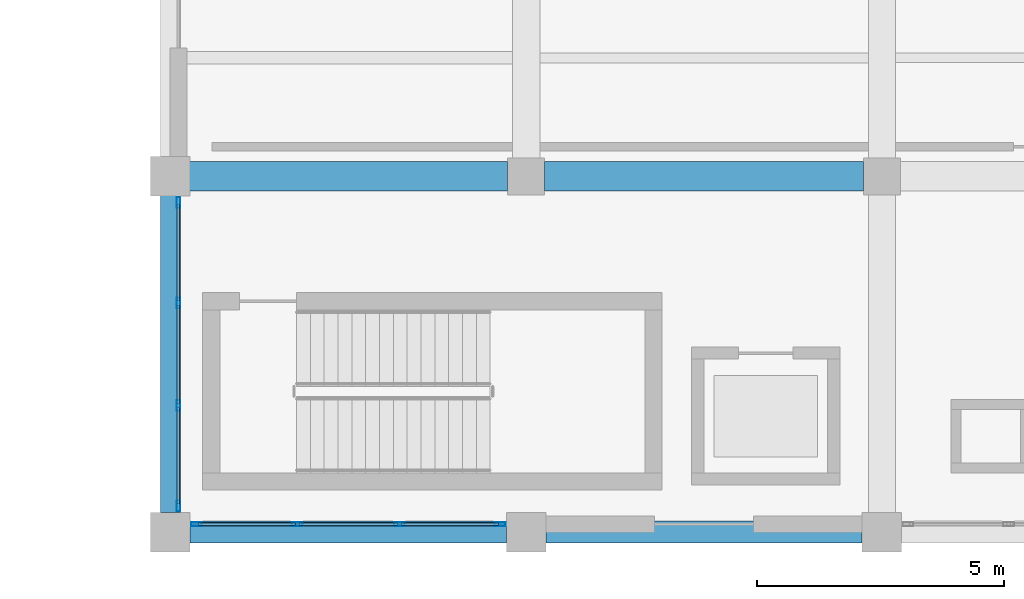
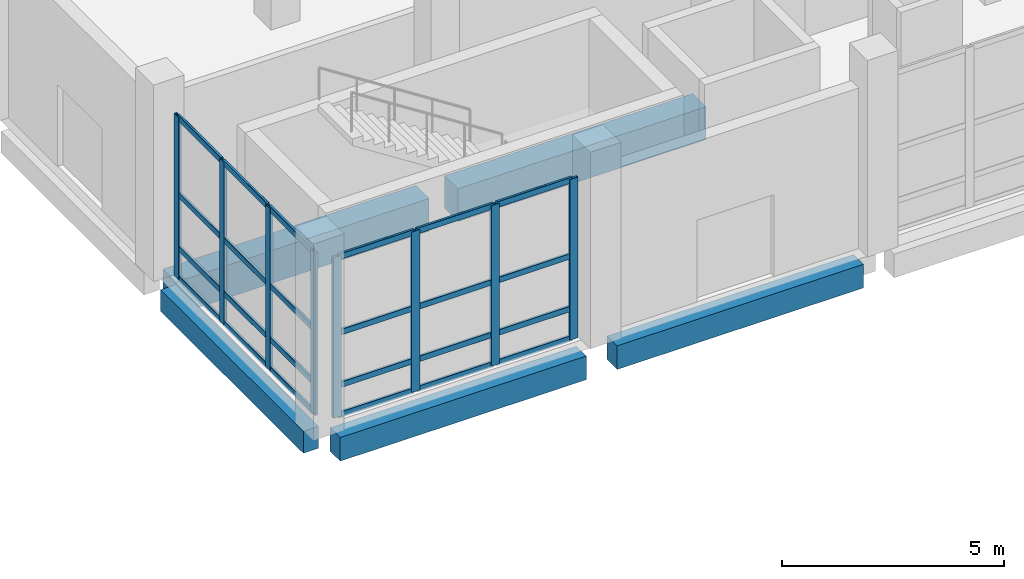
# One storey, part 29 of 137: 32 members, 5 beams, 2 elements without a shape of their own.
"""IFC4 building model written with IfcOpenShell, lengths in metres."""

import ifcopenshell
import ifcopenshell.guid

model = None  # the IFC model being written
_history = None  # IfcOwnerHistory: only IFC2X3 demands one
_inside = {}  # id of a spatial element -> (the spatial element, [elements in it])
_under = {}  # id of a project, library or spatial element -> (it, [spatial elements below it])
_declared = {}  # id of a project -> (the project, [libraries it declares])
_typed = {}  # id of a type object -> (the type object, [elements of that type])
_made_of = {}  # id of a material, layer set ... -> (it, [elements and type objects made of it])


def new_model(schema):
    """Start an empty IFC model of exactly this schema.

    Asked for "IFC4X3", IfcOpenShell would pick the latest addendum, in which some entities
    have other attributes; the version numbers below select the first issue.
    IFC2X3 requires an IfcOwnerHistory on every rooted entity: one is made here for all.
    """
    global model, _history
    if schema == "IFC4X3":
        model = ifcopenshell.file(schema_version=(4, 3, 0, 0))
    else:
        model = ifcopenshell.file(schema=schema)
    _inside.clear()
    _under.clear()
    _declared.clear()
    _typed.clear()
    _made_of.clear()
    _history = None
    if model.schema == "IFC2X3":
        org = make("IfcOrganization", Name="unknown")
        user = make(
            "IfcPersonAndOrganization",
            ThePerson=make("IfcPerson", FamilyName="unknown"),
            TheOrganization=org,
        )
        app = make(
            "IfcApplication",
            ApplicationDeveloper=org,
            Version="unknown",
            ApplicationFullName="unknown",
            ApplicationIdentifier="unknown",
        )
        _history = make(
            "IfcOwnerHistory",
            OwningUser=user,
            OwningApplication=app,
            ChangeAction="ADDED",
            CreationDate=0,
        )
    return model


def make(cls, **values):
    """One entity of the class cls with the attributes given. An attribute that is None is left unset."""
    return model.create_entity(
        cls, **{name: value for name, value in values.items() if value is not None}
    )


def rooted(cls, **values):
    """An entity with a GlobalId (a new one), such as an element, a storey or a relation."""
    return make(cls, GlobalId=ifcopenshell.guid.new(), OwnerHistory=_history, **values)


def si_unit(unit_type, name, prefix=None):
    """IfcSIUnit, for example si_unit("LENGTHUNIT", "METRE", prefix="MILLI")."""
    return make("IfcSIUnit", UnitType=unit_type, Prefix=prefix, Name=name)


def assignment(units):
    """IfcUnitAssignment: the units of a project."""
    return None if units is None else make("IfcUnitAssignment", Units=units)


def point(xyz):
    """IfcCartesianPoint."""
    return None if xyz is None else make("IfcCartesianPoint", Coordinates=xyz)


def direction(xyz):
    """IfcDirection."""
    return None if xyz is None else make("IfcDirection", DirectionRatios=xyz)


def frame(location, z_axis=None, x_axis=None):
    """IfcAxis2Placement3D, a coordinate frame: its origin and axes. An axis left out is left unset."""
    return make(
        "IfcAxis2Placement3D",
        Location=point(location),
        Axis=direction(z_axis),
        RefDirection=direction(x_axis),
    )


def frame_2d(location, x_axis=None):
    """IfcAxis2Placement2D, a coordinate frame in the plane: its origin and x axis."""
    return make(
        "IfcAxis2Placement2D", Location=point(location), RefDirection=direction(x_axis)
    )


def origin():
    """The frame at (0, 0, 0) with its axes left unset."""
    return frame((0.0, 0.0, 0.0))


def origin_2d():
    """The frame at (0, 0) in the plane with its x axis left unset."""
    return frame_2d((0.0, 0.0))


def place(relative_to, where):
    """IfcLocalPlacement: puts the frame where relative to a parent placement (None: the world)."""
    return make(
        "IfcLocalPlacement", PlacementRelTo=relative_to, RelativePlacement=where
    )


def context(
    kind, dimensions, precision=None, world=None, true_north=None, identifier=None
):
    """IfcGeometricRepresentationContext, for example the 3D "Model" context."""
    return make(
        "IfcGeometricRepresentationContext",
        ContextIdentifier=identifier,
        ContextType=kind,
        CoordinateSpaceDimension=dimensions,
        Precision=precision,
        WorldCoordinateSystem=world,
        TrueNorth=true_north,
    )


def subcontext(parent, identifier, kind, view, scale=None):
    """IfcGeometricRepresentationSubContext, for example "Body" below "Model"."""
    return make(
        "IfcGeometricRepresentationSubContext",
        ContextIdentifier=identifier,
        ContextType=kind,
        ParentContext=parent,
        TargetScale=scale,
        TargetView=view,
    )


def project(units=None, contexts=None):
    """IfcProject with its units and contexts."""
    return rooted(
        "IfcProject",
        Name="project",
        RepresentationContexts=contexts,
        UnitsInContext=assignment(units),
    )


def spatial(cls, under=None, at=None, **own):
    """A site, building, storey or space (cls), placed at a placement, below another one or the project."""
    s = rooted(cls, ObjectPlacement=at, **own)
    if under is not None:
        _under.setdefault(under.id(), (under, []))[1].append(s)
    return s


def profile(cls, at=None, kind="AREA", **sizes):
    """A parametric profile (cls). Its sizes go by their IFC names, for example OverallWidth=200.0."""
    return make(cls, ProfileType=kind, Position=at, **sizes)


def rectangle(**sizes):
    """IfcRectangleProfileDef."""
    return profile("IfcRectangleProfileDef", **sizes)


def hollow_rectangle(**sizes):
    """IfcRectangleHollowProfileDef."""
    return profile("IfcRectangleHollowProfileDef", **sizes)


def extrude(swept, where, along, depth):
    """IfcExtrudedAreaSolid: the profile swept, set in the frame where, extruded along a direction by depth."""
    return make(
        "IfcExtrudedAreaSolid",
        SweptArea=swept,
        Position=where,
        ExtrudedDirection=direction(along),
        Depth=depth,
    )


def shape(context_of_items, identifier, shape_type, items):
    """IfcShapeRepresentation: the items that make up one representation, for example the "Body"."""
    return make(
        "IfcShapeRepresentation",
        ContextOfItems=context_of_items,
        RepresentationIdentifier=identifier,
        RepresentationType=shape_type,
        Items=items,
    )


def material(Name=None, Category=None):
    """IfcMaterial."""
    return make("IfcMaterial", Name=Name, Category=Category)


def material_profile(
    of_material, cross_section, Name=None, Category=None, Priority=None
):
    """IfcMaterialProfile: a cross section and its material."""
    return make(
        "IfcMaterialProfile",
        Name=Name,
        Material=of_material,
        Profile=cross_section,
        Priority=Priority,
        Category=Category,
    )


def profile_set(profiles, Name=None, composite=None):
    """IfcMaterialProfileSet."""
    return make(
        "IfcMaterialProfileSet",
        Name=Name,
        MaterialProfiles=profiles,
        CompositeProfile=composite,
    )


def made_of(thing, what):
    """Note that an element or type object is made of a material, layer set ...; save() writes the relation."""
    if what is not None:
        _made_of.setdefault(what.id(), (what, []))[1].append(thing)
    return thing


def type_object(cls, material=None, **own):
    """A type object (cls), such as IfcWallType, which elements share."""
    return made_of(rooted(cls, **own), material)


def element(
    cls,
    number,
    at=None,
    inside=None,
    cuts=None,
    type_object=None,
    material=None,
    context=None,
    identifier="Body",
    shape_type=None,
    held_by="IfcProductDefinitionShape",
    body=None,
    shapes=None,
    **own,
):
    """One element of the class cls, such as IfcWall. Its Tag is "e" and its number.

    at: its placement. inside: the storey or other place that contains it. cuts: it is an
    opening in that element (IfcRelVoidsElement). A single representation is given by context,
    identifier, shape_type and body (its items); several are given by shapes. held_by: the class
    of the entity that holds the representations. save() writes the other relations.
    """
    e = rooted(cls, Tag="e%d" % number, ObjectPlacement=at, **own)
    if body is not None:
        shapes = [shape(context, identifier, shape_type, body)]
    if shapes is not None:
        e.Representation = make(held_by, Representations=shapes)
    if inside is not None:
        _inside.setdefault(inside.id(), (inside, []))[1].append(e)
    if cuts is not None:
        rooted(
            "IfcRelVoidsElement", RelatingBuildingElement=cuts, RelatedOpeningElement=e
        )
    if type_object is not None:
        _typed.setdefault(type_object.id(), (type_object, []))[1].append(e)
    return made_of(e, material)


def aggregate(whole, parts):
    """IfcRelAggregates: a whole, such as a stair, and the parts it consists of."""
    return rooted("IfcRelAggregates", RelatingObject=whole, RelatedObjects=parts)


def save(model, path):
    """Write the relations noted so far, then the file.

    IfcRelAggregates (storeys below a building ...), IfcRelContainedInSpatialStructure (elements
    in a storey), IfcRelDefinesByType, IfcRelAssociatesMaterial and IfcRelDeclares: one each for
    every whole, place, type object, material and project.
    """
    for whole, parts in _under.values():
        aggregate(whole, parts)
    for where, things in _inside.values():
        rooted(
            "IfcRelContainedInSpatialStructure",
            RelatedElements=things,
            RelatingStructure=where,
        )
    for kind, things in _typed.values():
        rooted("IfcRelDefinesByType", RelatedObjects=things, RelatingType=kind)
    for what, things in _made_of.values():
        rooted("IfcRelAssociatesMaterial", RelatedObjects=things, RelatingMaterial=what)
    for by, libraries in _declared.values():
        rooted("IfcRelDeclares", RelatingContext=by, RelatedDefinitions=libraries)
    model.write(path)


model = new_model("IFC4")

# Units and contexts
model_context = context("Model", 3, precision=1e-05, world=origin(), true_north=direction((0.0, 1.0)))
body_context = subcontext(model_context, "Body", "Model", "MODEL_VIEW")
ifc_project = project(units=[si_unit("LENGTHUNIT", "METRE"), si_unit("AREAUNIT", "SQUARE_METRE"), si_unit("VOLUMEUNIT", "CUBIC_METRE"), si_unit("PLANEANGLEUNIT", "RADIAN"), si_unit("MASSUNIT", "GRAM", prefix="KILO")], contexts=[model_context])

# Site, building, storey
site_placement = place(None, origin())
site = spatial("IfcSite", under=ifc_project, at=site_placement, CompositionType="ELEMENT")
building_placement = place(site_placement, origin())
building = spatial("IfcBuilding", under=site, at=building_placement, Name="Kalmorath City Hall", CompositionType="ELEMENT")
storey_placement = place(building_placement, origin())
storey = spatial("IfcBuildingStorey", under=building, at=storey_placement, Name="L00", CompositionType="ELEMENT", Elevation=0.0)

# Beams
ifc_material_1 = material(Name="Concrete C40/50", Category="concrete")
ifc_material_profile_1 = material_profile(ifc_material_1, rectangle(XDim=0.39990234375, YDim=0.60009765625, at=origin_2d()), Name="RC-BM-400X600")
ifc_profile_set_1 = profile_set([ifc_material_profile_1], Name="Concrete C40/50")
beam_type_1 = type_object("IfcBeamType", Name="Concrete edge beam 400x600", PredefinedType="SPANDREL", material=ifc_profile_set_1)
beam_1_placement = place(storey_placement, frame((115.199951171875, 0.39990234375, -0.60400390625), z_axis=(0.0, 1.0, 0.0), x_axis=(-1.0, 0.0, 0.0)))
element("IfcBeam", 1, at=beam_1_placement, inside=storey, type_object=beam_type_1, Name="L00 girder CB6 Y17/1-2", PredefinedType="SPANDREL", context=body_context, shape_type="SweptSolid", body=[
    extrude(rectangle(XDim=0.39990234375, YDim=0.60009765625, at=origin_2d()), origin(), (0.0, 0.0, 1.0), 6.425048828125),
])
ifc_material_2 = material(Name="Concrete C40/50", Category="concrete")
ifc_material_profile_2 = material_profile(ifc_material_2, rectangle(XDim=0.60009765625, YDim=0.89990234375, at=origin_2d()), Name="RC-BM-600X900")
ifc_profile_set_2 = profile_set([ifc_material_profile_2], Name="Concrete C40/50")
beam_type_2 = type_object("IfcBeamType", Name="Concrete floor girder 600x900", PredefinedType="BEAM", material=ifc_profile_set_2)
beam_2_placement = place(storey_placement, frame((115.449951171875, 7.199951171875, -0.75390625), z_axis=(1.0, 0.0, 0.0), x_axis=(0.0, 1.0, 0.0)))
element("IfcBeam", 2, at=beam_2_placement, inside=storey, type_object=beam_type_2, Name="L00 girder CB1 X17-18/2", PredefinedType="BEAM", context=body_context, shape_type="SweptSolid", body=[
    extrude(rectangle(XDim=0.60009765625, YDim=0.89990234375, at=origin_2d()), origin(), (0.0, 0.0, 1.0), 6.574951171875),
])
beam_3_placement = place(storey_placement, frame((122.77490234375, 7.199951171875, -0.75390625), z_axis=(1.0, 0.0, 0.0), x_axis=(0.0, 1.0, 0.0)))
element("IfcBeam", 3, at=beam_3_placement, inside=storey, type_object=beam_type_2, Name="L00 girder CB1 X18-19/2", PredefinedType="BEAM", context=body_context, shape_type="SweptSolid", body=[
    extrude(rectangle(XDim=0.60009765625, YDim=0.89990234375, at=origin_2d()), origin(), (0.0, 0.0, 1.0), 6.4501953125),
])
ifc_material_3 = material(Name="Concrete C40/50", Category="concrete")
ifc_material_profile_3 = material_profile(ifc_material_3, rectangle(XDim=0.449951171875, YDim=0.64990234375, at=origin_2d()), Name="RC-BM-450X650")
ifc_profile_set_3 = profile_set([ifc_material_profile_3], Name="Concrete C40/50")
beam_type_3 = type_object("IfcBeamType", Name="Concrete spandrel beam 450x650", PredefinedType="SPANDREL", material=ifc_profile_set_3)
for number, where, z_axis, x_axis, name in (
    (4, (115.60009765625, 0.0, -0.62890625), (1.0, 0.0, 0.0), (0.0, 1.0, 0.0), "L00 girder CB5 X17-18/1"),
    (5, (122.800048828125, 0.0, -0.62890625), (1.0, 0.0, 0.0), (0.0, 1.0, 0.0), "L00 girder CB5 X18-19/1"),
):
    element("IfcBeam", number, at=place(storey_placement, frame(where, z_axis=z_axis, x_axis=x_axis)), inside=storey, type_object=beam_type_3, Name=name, PredefinedType="SPANDREL", context=body_context, shape_type="SweptSolid", body=[
        extrude(rectangle(XDim=0.449951171875, YDim=0.64990234375, at=origin_2d()), origin(), (0.0, 0.0, 1.0), 6.39990234375),
    ])

# Curtain wall, members
ifc_material_4 = material(Name="Anodised aluminium and laminated glass", Category="aluminium")
curtain_wall_type_1 = type_object("IfcCurtainWallType", Name="Unitised hurricane curtain wall 6220x4411 M1800", PredefinedType="NOTDEFINED", material=ifc_material_4)
curtain_wall_1_placement = place(storey_placement, origin())
curtain_wall_1 = element("IfcCurtainWall", 6, at=curtain_wall_1_placement, inside=storey, type_object=curtain_wall_type_1, Name="L00 curtain wall CW-62X44M18 #15", PredefinedType="NOTDEFINED")
ifc_material_5 = material(Name="Anodised aluminium framing", Category="aluminium")
ifc_material_profile_4 = material_profile(ifc_material_5, hollow_rectangle(XDim=0.074951171875, YDim=0.219970703125, WallThickness=0.00390625, InnerFilletRadius=0.00390625, OuterFilletRadius=0.008056640625, at=origin_2d()), Name="ALU-MUL-220X75X4")
ifc_profile_set_4 = profile_set([ifc_material_profile_4], Name="Anodised aluminium framing")
member_type_1 = type_object("IfcMemberType", Name="Curtain-wall primary mullion 220x75", PredefinedType="MULLION", material=ifc_profile_set_4)
member_1_placement = place(storey_placement, frame((121.87255859375, 0.159912109375, 0.0), z_axis=(0.0, 0.0, 1.0), x_axis=(0.0, -1.0, 0.0)))
member_1 = element("IfcMember", 7, at=member_1_placement, type_object=member_type_1, Name="CW-62X44M18 mullion 1", PredefinedType="MULLION", context=body_context, shape_type="SweptSolid", body=[
    extrude(hollow_rectangle(XDim=0.074951171875, YDim=0.219970703125, WallThickness=0.00390625, InnerFilletRadius=0.00390625, OuterFilletRadius=0.008056640625, at=origin_2d()), origin(), (0.0, 0.0, 1.0), 4.410888671875),
])
member_2_placement = place(storey_placement, frame((119.836669921875, 0.159912109375, 0.0), z_axis=(0.0, 0.0, 1.0), x_axis=(0.0, -1.0, 0.0)))
member_2 = element("IfcMember", 8, at=member_2_placement, type_object=member_type_1, Name="CW-62X44M18 mullion 2", PredefinedType="MULLION", context=body_context, shape_type="SweptSolid", body=[
    extrude(hollow_rectangle(XDim=0.074951171875, YDim=0.219970703125, WallThickness=0.00390625, InnerFilletRadius=0.00390625, OuterFilletRadius=0.008056640625, at=origin_2d()), origin(), (0.0, 0.0, 1.0), 4.410888671875),
])
member_3_placement = place(storey_placement, frame((117.763427734375, 0.159912109375, 0.0), z_axis=(0.0, 0.0, 1.0), x_axis=(0.0, -1.0, 0.0)))
member_3 = element("IfcMember", 9, at=member_3_placement, type_object=member_type_1, Name="CW-62X44M18 mullion 3", PredefinedType="MULLION", context=body_context, shape_type="SweptSolid", body=[
    extrude(hollow_rectangle(XDim=0.074951171875, YDim=0.219970703125, WallThickness=0.00390625, InnerFilletRadius=0.00390625, OuterFilletRadius=0.008056640625, at=origin_2d()), origin(), (0.0, 0.0, 1.0), 4.410888671875),
])
member_4_placement = place(storey_placement, frame((115.7275390625, 0.159912109375, 0.0), z_axis=(0.0, 0.0, 1.0), x_axis=(0.0, -1.0, 0.0)))
member_4 = element("IfcMember", 10, at=member_4_placement, type_object=member_type_1, Name="CW-62X44M18 mullion 4", PredefinedType="MULLION", context=body_context, shape_type="SweptSolid", body=[
    extrude(hollow_rectangle(XDim=0.074951171875, YDim=0.219970703125, WallThickness=0.00390625, InnerFilletRadius=0.00390625, OuterFilletRadius=0.008056640625, at=origin_2d()), origin(), (0.0, 0.0, 1.0), 4.410888671875),
])

ifc_material_6 = material(Name="Anodised aluminium and laminated glass", Category="aluminium")
curtain_wall_type_2 = type_object("IfcCurtainWallType", Name="Unitised hurricane curtain wall 6220x4461 M1800", PredefinedType="NOTDEFINED", material=ifc_material_6)
curtain_wall_2_placement = place(storey_placement, origin())
curtain_wall_2 = element("IfcCurtainWall", 11, at=curtain_wall_2_placement, inside=storey, type_object=curtain_wall_type_2, Name="L00 curtain wall CW-62X45M18 #16", PredefinedType="NOTDEFINED")
member_5_placement = place(storey_placement, frame((115.360107421875, 0.527587890625, 0.0), z_axis=(0.0, 0.0, 1.0), x_axis=(-1.0, 0.0, 0.0)))
member_5 = element("IfcMember", 12, at=member_5_placement, type_object=member_type_1, Name="CW-62X45M18 mullion 1", PredefinedType="MULLION", context=body_context, shape_type="SweptSolid", body=[
    extrude(hollow_rectangle(XDim=0.074951171875, YDim=0.219970703125, WallThickness=0.00390625, InnerFilletRadius=0.00390625, OuterFilletRadius=0.008056640625, at=origin_2d()), origin(), (0.0, 0.0, 1.0), 4.4609375),
])
member_6_placement = place(storey_placement, frame((115.360107421875, 2.563232421875, 0.0), z_axis=(0.0, 0.0, 1.0), x_axis=(-1.0, 0.0, 0.0)))
member_6 = element("IfcMember", 13, at=member_6_placement, type_object=member_type_1, Name="CW-62X45M18 mullion 2", PredefinedType="MULLION", context=body_context, shape_type="SweptSolid", body=[
    extrude(hollow_rectangle(XDim=0.074951171875, YDim=0.219970703125, WallThickness=0.00390625, InnerFilletRadius=0.00390625, OuterFilletRadius=0.008056640625, at=origin_2d()), origin(), (0.0, 0.0, 1.0), 4.4609375),
])
member_7_placement = place(storey_placement, frame((115.360107421875, 4.63671875, 0.0), z_axis=(0.0, 0.0, 1.0), x_axis=(-1.0, 0.0, 0.0)))
member_7 = element("IfcMember", 14, at=member_7_placement, type_object=member_type_1, Name="CW-62X45M18 mullion 3", PredefinedType="MULLION", context=body_context, shape_type="SweptSolid", body=[
    extrude(hollow_rectangle(XDim=0.074951171875, YDim=0.219970703125, WallThickness=0.00390625, InnerFilletRadius=0.00390625, OuterFilletRadius=0.008056640625, at=origin_2d()), origin(), (0.0, 0.0, 1.0), 4.4609375),
])
member_8_placement = place(storey_placement, frame((115.360107421875, 6.672607421875, 0.0), z_axis=(0.0, 0.0, 1.0), x_axis=(-1.0, 0.0, 0.0)))
member_8 = element("IfcMember", 15, at=member_8_placement, type_object=member_type_1, Name="CW-62X45M18 mullion 4", PredefinedType="MULLION", context=body_context, shape_type="SweptSolid", body=[
    extrude(hollow_rectangle(XDim=0.074951171875, YDim=0.219970703125, WallThickness=0.00390625, InnerFilletRadius=0.00390625, OuterFilletRadius=0.008056640625, at=origin_2d()), origin(), (0.0, 0.0, 1.0), 4.4609375),
])

# Member
ifc_material_7 = material(Name="Anodised aluminium framing", Category="aluminium")
ifc_material_profile_5 = material_profile(ifc_material_7, hollow_rectangle(XDim=0.06494140625, YDim=0.159912109375, WallThickness=0.00390625, InnerFilletRadius=0.00390625, OuterFilletRadius=0.008056640625, at=origin_2d()), Name="ALU-TRN-160X65X4")
ifc_profile_set_5 = profile_set([ifc_material_profile_5], Name="Anodised aluminium framing")
member_type_2 = type_object("IfcMemberType", Name="Curtain-wall primary transom 160x65", PredefinedType="USERDEFINED", material=ifc_profile_set_5)
member_9_placement = place(storey_placement, frame((121.8349609375, 0.159912109375, 0.032470703125), z_axis=(-1.0, 0.0, 0.0), x_axis=(0.0, -1.0, 0.0)))
member_9 = element("IfcMember", 16, at=member_9_placement, type_object=member_type_2, Name="CW-62X44M18 transom 1.1", ObjectType="TRANSOM", PredefinedType="USERDEFINED", context=body_context, shape_type="SweptSolid", body=[
    extrude(hollow_rectangle(XDim=0.06494140625, YDim=0.159912109375, WallThickness=0.00390625, InnerFilletRadius=0.00390625, OuterFilletRadius=0.008056640625, at=origin_2d()), origin(), (0.0, 0.0, 1.0), 1.960693359375),
])

member_10_placement = place(storey_placement, frame((121.8349609375, 0.159912109375, 0.85009765625), z_axis=(-1.0, 0.0, 0.0), x_axis=(0.0, -1.0, 0.0)))
member_10 = element("IfcMember", 17, at=member_10_placement, type_object=member_type_2, Name="CW-62X44M18 transom 1.2", ObjectType="TRANSOM", PredefinedType="USERDEFINED", context=body_context, shape_type="SweptSolid", body=[
    extrude(hollow_rectangle(XDim=0.06494140625, YDim=0.159912109375, WallThickness=0.00390625, InnerFilletRadius=0.00390625, OuterFilletRadius=0.008056640625, at=origin_2d()), origin(), (0.0, 0.0, 1.0), 1.960693359375),
])

member_11_placement = place(storey_placement, frame((121.8349609375, 0.159912109375, 2.2939453125), z_axis=(-1.0, 0.0, 0.0), x_axis=(0.0, -1.0, 0.0)))
member_11 = element("IfcMember", 18, at=member_11_placement, type_object=member_type_2, Name="CW-62X44M18 transom 1.3", ObjectType="TRANSOM", PredefinedType="USERDEFINED", context=body_context, shape_type="SweptSolid", body=[
    extrude(hollow_rectangle(XDim=0.06494140625, YDim=0.159912109375, WallThickness=0.00390625, InnerFilletRadius=0.00390625, OuterFilletRadius=0.008056640625, at=origin_2d()), origin(), (0.0, 0.0, 1.0), 1.960693359375),
])

member_12_placement = place(storey_placement, frame((121.8349609375, 0.159912109375, 4.37841796875), z_axis=(-1.0, 0.0, 0.0), x_axis=(0.0, -1.0, 0.0)))
member_12 = element("IfcMember", 19, at=member_12_placement, type_object=member_type_2, Name="CW-62X44M18 transom 1.4", ObjectType="TRANSOM", PredefinedType="USERDEFINED", context=body_context, shape_type="SweptSolid", body=[
    extrude(hollow_rectangle(XDim=0.06494140625, YDim=0.159912109375, WallThickness=0.00390625, InnerFilletRadius=0.00390625, OuterFilletRadius=0.008056640625, at=origin_2d()), origin(), (0.0, 0.0, 1.0), 1.960693359375),
])

member_13_placement = place(storey_placement, frame((119.799072265625, 0.159912109375, 0.032470703125), z_axis=(-1.0, 0.0, 0.0), x_axis=(0.0, -1.0, 0.0)))
member_13 = element("IfcMember", 20, at=member_13_placement, type_object=member_type_2, Name="CW-62X44M18 transom 2.1", ObjectType="TRANSOM", PredefinedType="USERDEFINED", context=body_context, shape_type="SweptSolid", body=[
    extrude(hollow_rectangle(XDim=0.06494140625, YDim=0.159912109375, WallThickness=0.00390625, InnerFilletRadius=0.00390625, OuterFilletRadius=0.008056640625, at=origin_2d()), origin(), (0.0, 0.0, 1.0), 1.998291015625),
])

member_14_placement = place(storey_placement, frame((119.799072265625, 0.159912109375, 0.85009765625), z_axis=(-1.0, 0.0, 0.0), x_axis=(0.0, -1.0, 0.0)))
member_14 = element("IfcMember", 21, at=member_14_placement, type_object=member_type_2, Name="CW-62X44M18 transom 2.2", ObjectType="TRANSOM", PredefinedType="USERDEFINED", context=body_context, shape_type="SweptSolid", body=[
    extrude(hollow_rectangle(XDim=0.06494140625, YDim=0.159912109375, WallThickness=0.00390625, InnerFilletRadius=0.00390625, OuterFilletRadius=0.008056640625, at=origin_2d()), origin(), (0.0, 0.0, 1.0), 1.998291015625),
])

member_15_placement = place(storey_placement, frame((119.799072265625, 0.159912109375, 2.2939453125), z_axis=(-1.0, 0.0, 0.0), x_axis=(0.0, -1.0, 0.0)))
member_15 = element("IfcMember", 22, at=member_15_placement, type_object=member_type_2, Name="CW-62X44M18 transom 2.3", ObjectType="TRANSOM", PredefinedType="USERDEFINED", context=body_context, shape_type="SweptSolid", body=[
    extrude(hollow_rectangle(XDim=0.06494140625, YDim=0.159912109375, WallThickness=0.00390625, InnerFilletRadius=0.00390625, OuterFilletRadius=0.008056640625, at=origin_2d()), origin(), (0.0, 0.0, 1.0), 1.998291015625),
])

member_16_placement = place(storey_placement, frame((119.799072265625, 0.159912109375, 4.37841796875), z_axis=(-1.0, 0.0, 0.0), x_axis=(0.0, -1.0, 0.0)))
member_16 = element("IfcMember", 23, at=member_16_placement, type_object=member_type_2, Name="CW-62X44M18 transom 2.4", ObjectType="TRANSOM", PredefinedType="USERDEFINED", context=body_context, shape_type="SweptSolid", body=[
    extrude(hollow_rectangle(XDim=0.06494140625, YDim=0.159912109375, WallThickness=0.00390625, InnerFilletRadius=0.00390625, OuterFilletRadius=0.008056640625, at=origin_2d()), origin(), (0.0, 0.0, 1.0), 1.998291015625),
])

member_17_placement = place(storey_placement, frame((117.725830078125, 0.159912109375, 0.032470703125), z_axis=(-1.0, 0.0, 0.0), x_axis=(0.0, -1.0, 0.0)))
member_17 = element("IfcMember", 24, at=member_17_placement, type_object=member_type_2, Name="CW-62X44M18 transom 3.1", ObjectType="TRANSOM", PredefinedType="USERDEFINED", context=body_context, shape_type="SweptSolid", body=[
    extrude(hollow_rectangle(XDim=0.06494140625, YDim=0.159912109375, WallThickness=0.00390625, InnerFilletRadius=0.00390625, OuterFilletRadius=0.008056640625, at=origin_2d()), origin(), (0.0, 0.0, 1.0), 1.9609375),
])

member_18_placement = place(storey_placement, frame((117.725830078125, 0.159912109375, 0.85009765625), z_axis=(-1.0, 0.0, 0.0), x_axis=(0.0, -1.0, 0.0)))
member_18 = element("IfcMember", 25, at=member_18_placement, type_object=member_type_2, Name="CW-62X44M18 transom 3.2", ObjectType="TRANSOM", PredefinedType="USERDEFINED", context=body_context, shape_type="SweptSolid", body=[
    extrude(hollow_rectangle(XDim=0.06494140625, YDim=0.159912109375, WallThickness=0.00390625, InnerFilletRadius=0.00390625, OuterFilletRadius=0.008056640625, at=origin_2d()), origin(), (0.0, 0.0, 1.0), 1.9609375),
])

member_19_placement = place(storey_placement, frame((117.725830078125, 0.159912109375, 2.2939453125), z_axis=(-1.0, 0.0, 0.0), x_axis=(0.0, -1.0, 0.0)))
member_19 = element("IfcMember", 26, at=member_19_placement, type_object=member_type_2, Name="CW-62X44M18 transom 3.3", ObjectType="TRANSOM", PredefinedType="USERDEFINED", context=body_context, shape_type="SweptSolid", body=[
    extrude(hollow_rectangle(XDim=0.06494140625, YDim=0.159912109375, WallThickness=0.00390625, InnerFilletRadius=0.00390625, OuterFilletRadius=0.008056640625, at=origin_2d()), origin(), (0.0, 0.0, 1.0), 1.9609375),
])

member_20_placement = place(storey_placement, frame((117.725830078125, 0.159912109375, 4.37841796875), z_axis=(-1.0, 0.0, 0.0), x_axis=(0.0, -1.0, 0.0)))
member_20 = element("IfcMember", 27, at=member_20_placement, type_object=member_type_2, Name="CW-62X44M18 transom 3.4", ObjectType="TRANSOM", PredefinedType="USERDEFINED", context=body_context, shape_type="SweptSolid", body=[
    extrude(hollow_rectangle(XDim=0.06494140625, YDim=0.159912109375, WallThickness=0.00390625, InnerFilletRadius=0.00390625, OuterFilletRadius=0.008056640625, at=origin_2d()), origin(), (0.0, 0.0, 1.0), 1.9609375),
])

aggregate(curtain_wall_1, [member_1, member_2, member_3, member_4, member_9, member_10, member_11, member_12, member_13, member_14, member_15, member_16, member_17, member_18, member_19, member_20])

member_21_placement = place(storey_placement, frame((115.360107421875, 0.56494140625, 0.032470703125), z_axis=(0.0, 1.0, 0.0), x_axis=(-1.0, 0.0, 0.0)))
member_21 = element("IfcMember", 28, at=member_21_placement, type_object=member_type_2, Name="CW-62X45M18 transom 1.1", ObjectType="TRANSOM", PredefinedType="USERDEFINED", context=body_context, shape_type="SweptSolid", body=[
    extrude(hollow_rectangle(XDim=0.06494140625, YDim=0.159912109375, WallThickness=0.00390625, InnerFilletRadius=0.00390625, OuterFilletRadius=0.008056640625, at=origin_2d()), origin(), (0.0, 0.0, 1.0), 1.9609375),
])

member_22_placement = place(storey_placement, frame((115.360107421875, 0.56494140625, 0.85009765625), z_axis=(0.0, 1.0, 0.0), x_axis=(-1.0, 0.0, 0.0)))
member_22 = element("IfcMember", 29, at=member_22_placement, type_object=member_type_2, Name="CW-62X45M18 transom 1.2", ObjectType="TRANSOM", PredefinedType="USERDEFINED", context=body_context, shape_type="SweptSolid", body=[
    extrude(hollow_rectangle(XDim=0.06494140625, YDim=0.159912109375, WallThickness=0.00390625, InnerFilletRadius=0.00390625, OuterFilletRadius=0.008056640625, at=origin_2d()), origin(), (0.0, 0.0, 1.0), 1.9609375),
])

member_23_placement = place(storey_placement, frame((115.360107421875, 0.56494140625, 2.320068359375), z_axis=(0.0, 1.0, 0.0), x_axis=(-1.0, 0.0, 0.0)))
member_23 = element("IfcMember", 30, at=member_23_placement, type_object=member_type_2, Name="CW-62X45M18 transom 1.3", ObjectType="TRANSOM", PredefinedType="USERDEFINED", context=body_context, shape_type="SweptSolid", body=[
    extrude(hollow_rectangle(XDim=0.06494140625, YDim=0.159912109375, WallThickness=0.00390625, InnerFilletRadius=0.00390625, OuterFilletRadius=0.008056640625, at=origin_2d()), origin(), (0.0, 0.0, 1.0), 1.9609375),
])

member_24_placement = place(storey_placement, frame((115.360107421875, 0.56494140625, 4.428466796875), z_axis=(0.0, 1.0, 0.0), x_axis=(-1.0, 0.0, 0.0)))
member_24 = element("IfcMember", 31, at=member_24_placement, type_object=member_type_2, Name="CW-62X45M18 transom 1.4", ObjectType="TRANSOM", PredefinedType="USERDEFINED", context=body_context, shape_type="SweptSolid", body=[
    extrude(hollow_rectangle(XDim=0.06494140625, YDim=0.159912109375, WallThickness=0.00390625, InnerFilletRadius=0.00390625, OuterFilletRadius=0.008056640625, at=origin_2d()), origin(), (0.0, 0.0, 1.0), 1.9609375),
])

member_25_placement = place(storey_placement, frame((115.360107421875, 2.600830078125, 0.032470703125), z_axis=(0.0, 1.0, 0.0), x_axis=(-1.0, 0.0, 0.0)))
member_25 = element("IfcMember", 32, at=member_25_placement, type_object=member_type_2, Name="CW-62X45M18 transom 2.1", ObjectType="TRANSOM", PredefinedType="USERDEFINED", context=body_context, shape_type="SweptSolid", body=[
    extrude(hollow_rectangle(XDim=0.06494140625, YDim=0.159912109375, WallThickness=0.00390625, InnerFilletRadius=0.00390625, OuterFilletRadius=0.008056640625, at=origin_2d()), origin(), (0.0, 0.0, 1.0), 1.998291015625),
])

member_26_placement = place(storey_placement, frame((115.360107421875, 2.600830078125, 0.85009765625), z_axis=(0.0, 1.0, 0.0), x_axis=(-1.0, 0.0, 0.0)))
member_26 = element("IfcMember", 33, at=member_26_placement, type_object=member_type_2, Name="CW-62X45M18 transom 2.2", ObjectType="TRANSOM", PredefinedType="USERDEFINED", context=body_context, shape_type="SweptSolid", body=[
    extrude(hollow_rectangle(XDim=0.06494140625, YDim=0.159912109375, WallThickness=0.00390625, InnerFilletRadius=0.00390625, OuterFilletRadius=0.008056640625, at=origin_2d()), origin(), (0.0, 0.0, 1.0), 1.998291015625),
])

member_27_placement = place(storey_placement, frame((115.360107421875, 2.600830078125, 2.320068359375), z_axis=(0.0, 1.0, 0.0), x_axis=(-1.0, 0.0, 0.0)))
member_27 = element("IfcMember", 34, at=member_27_placement, type_object=member_type_2, Name="CW-62X45M18 transom 2.3", ObjectType="TRANSOM", PredefinedType="USERDEFINED", context=body_context, shape_type="SweptSolid", body=[
    extrude(hollow_rectangle(XDim=0.06494140625, YDim=0.159912109375, WallThickness=0.00390625, InnerFilletRadius=0.00390625, OuterFilletRadius=0.008056640625, at=origin_2d()), origin(), (0.0, 0.0, 1.0), 1.998291015625),
])

member_28_placement = place(storey_placement, frame((115.360107421875, 2.600830078125, 4.428466796875), z_axis=(0.0, 1.0, 0.0), x_axis=(-1.0, 0.0, 0.0)))
member_28 = element("IfcMember", 35, at=member_28_placement, type_object=member_type_2, Name="CW-62X45M18 transom 2.4", ObjectType="TRANSOM", PredefinedType="USERDEFINED", context=body_context, shape_type="SweptSolid", body=[
    extrude(hollow_rectangle(XDim=0.06494140625, YDim=0.159912109375, WallThickness=0.00390625, InnerFilletRadius=0.00390625, OuterFilletRadius=0.008056640625, at=origin_2d()), origin(), (0.0, 0.0, 1.0), 1.998291015625),
])

member_29_placement = place(storey_placement, frame((115.360107421875, 4.674072265625, 0.032470703125), z_axis=(0.0, 1.0, 0.0), x_axis=(-1.0, 0.0, 0.0)))
member_29 = element("IfcMember", 36, at=member_29_placement, type_object=member_type_2, Name="CW-62X45M18 transom 3.1", ObjectType="TRANSOM", PredefinedType="USERDEFINED", context=body_context, shape_type="SweptSolid", body=[
    extrude(hollow_rectangle(XDim=0.06494140625, YDim=0.159912109375, WallThickness=0.00390625, InnerFilletRadius=0.00390625, OuterFilletRadius=0.008056640625, at=origin_2d()), origin(), (0.0, 0.0, 1.0), 1.9609375),
])

member_30_placement = place(storey_placement, frame((115.360107421875, 4.674072265625, 0.85009765625), z_axis=(0.0, 1.0, 0.0), x_axis=(-1.0, 0.0, 0.0)))
member_30 = element("IfcMember", 37, at=member_30_placement, type_object=member_type_2, Name="CW-62X45M18 transom 3.2", ObjectType="TRANSOM", PredefinedType="USERDEFINED", context=body_context, shape_type="SweptSolid", body=[
    extrude(hollow_rectangle(XDim=0.06494140625, YDim=0.159912109375, WallThickness=0.00390625, InnerFilletRadius=0.00390625, OuterFilletRadius=0.008056640625, at=origin_2d()), origin(), (0.0, 0.0, 1.0), 1.9609375),
])

member_31_placement = place(storey_placement, frame((115.360107421875, 4.674072265625, 2.320068359375), z_axis=(0.0, 1.0, 0.0), x_axis=(-1.0, 0.0, 0.0)))
member_31 = element("IfcMember", 38, at=member_31_placement, type_object=member_type_2, Name="CW-62X45M18 transom 3.3", ObjectType="TRANSOM", PredefinedType="USERDEFINED", context=body_context, shape_type="SweptSolid", body=[
    extrude(hollow_rectangle(XDim=0.06494140625, YDim=0.159912109375, WallThickness=0.00390625, InnerFilletRadius=0.00390625, OuterFilletRadius=0.008056640625, at=origin_2d()), origin(), (0.0, 0.0, 1.0), 1.9609375),
])

member_32_placement = place(storey_placement, frame((115.360107421875, 4.674072265625, 4.428466796875), z_axis=(0.0, 1.0, 0.0), x_axis=(-1.0, 0.0, 0.0)))
member_32 = element("IfcMember", 39, at=member_32_placement, type_object=member_type_2, Name="CW-62X45M18 transom 3.4", ObjectType="TRANSOM", PredefinedType="USERDEFINED", context=body_context, shape_type="SweptSolid", body=[
    extrude(hollow_rectangle(XDim=0.06494140625, YDim=0.159912109375, WallThickness=0.00390625, InnerFilletRadius=0.00390625, OuterFilletRadius=0.008056640625, at=origin_2d()), origin(), (0.0, 0.0, 1.0), 1.9609375),
])

aggregate(curtain_wall_2, [member_5, member_6, member_7, member_8, member_21, member_22, member_23, member_24, member_25, member_26, member_27, member_28, member_29, member_30, member_31, member_32])

save(model, "model.ifc")
